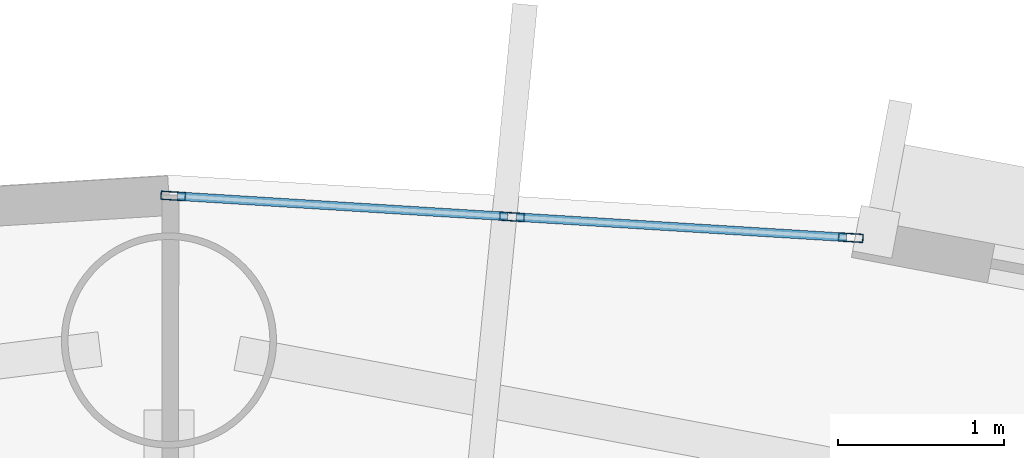
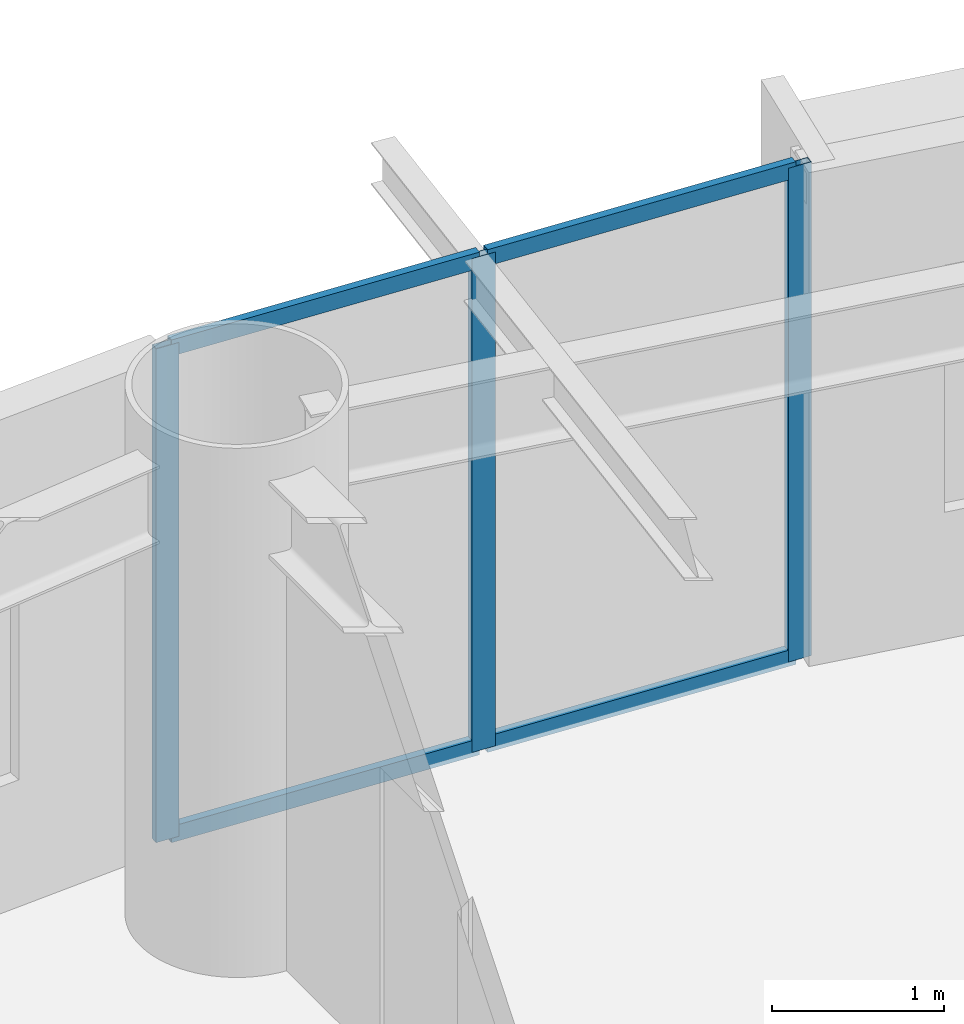
# One storey, part 4 of 17: 7 members, 1 element without a shape of its own.
"""IFC4 building model written with IfcOpenShell, lengths in metres."""

from ifc_helpers import new_model, si_unit, direction, frame, origin, origin_2d, place, context, subcontext, project, spatial, hollow_rectangle, extrude, source, transform, mapped, material, layer, layer_set, material_profile, profile_set, type_object, element, aggregate, save


model = new_model("IFC4")

# Units and contexts
model_context = context("Model", 3, precision=1e-05, world=origin(), true_north=direction((0.0, 1.0)))
body_context = subcontext(model_context, "Body", "Model", "MODEL_VIEW")
ifc_project = project(units=[si_unit("LENGTHUNIT", "METRE"), si_unit("AREAUNIT", "SQUARE_METRE"), si_unit("VOLUMEUNIT", "CUBIC_METRE"), si_unit("PLANEANGLEUNIT", "RADIAN"), si_unit("MASSUNIT", "GRAM", prefix="KILO")], contexts=[model_context])

# Site, building, storey
site_placement = place(None, origin())
site = spatial("IfcSite", under=ifc_project, at=site_placement, CompositionType="ELEMENT")
building_placement = place(site_placement, origin())
building = spatial("IfcBuilding", under=site, at=building_placement, Name="Linh Dai School and Residence Tower", CompositionType="ELEMENT")
storey_placement = place(building_placement, frame((0.0, 0.0, 182.39990234375)))
storey = spatial("IfcBuildingStorey", under=building, at=storey_placement, Name="L44", CompositionType="ELEMENT", Elevation=182.39990234375)

# Curtain wall, members
ifc_material_1 = material(Name="Aluminium Anodised Curtain Wall", Category="aluminium")
ifc_layer = layer(ifc_material_1, 0.14990234375)
ifc_layer_set = layer_set([ifc_layer], Name="Aluminium Anodised Curtain Wall")
curtain_wall_type = type_object("IfcCurtainWallType", Name="CW-SYS-4", PredefinedType="USERDEFINED", material=ifc_layer_set)
curtain_wall_placement = place(storey_placement, origin())
curtain_wall = element("IfcCurtainWall", 1, at=curtain_wall_placement, inside=storey, type_object=curtain_wall_type, Name="L44 CW4 Curtain Wall 10", ObjectType="RIBBON CURTAIN WALL", PredefinedType="USERDEFINED")
ifc_material_2 = material(Name="Aluminium Alloy 6063-T6", Category="aluminium")
ifc_material_profile_1 = material_profile(ifc_material_2, hollow_rectangle(XDim=0.052001953125, YDim=0.14990234375, WallThickness=0.00390625, at=origin_2d()), Name="RHS 150x52x4")
ifc_profile_set_1 = profile_set([ifc_material_profile_1], Name="Aluminium Alloy 6063-T6")
member_type_1 = type_object("IfcMemberType", Name="CW-SYS-4-MUL", PredefinedType="MULLION", material=ifc_profile_set_1)
shared_shape_1 = source(origin(), body_context, "Body", "SweptSolid", [
    extrude(hollow_rectangle(XDim=0.052001953125, YDim=0.14990234375, WallThickness=0.00390625, at=origin_2d()), origin(), (0.0, 0.0, 1.0), 3.5),
])
member_1_placement = place(storey_placement, frame((36.02587890625, 47.703369140625, 0.0), z_axis=(0.0, 0.0, 1.0), x_axis=(0.061512376467, 0.99810632076, 0.0)))
member_1 = element("IfcMember", 2, at=member_1_placement, type_object=member_type_1, Name="CW4 mullion 1", PredefinedType="MULLION", context=body_context, shape_type="MappedRepresentation", body=[
    mapped(shared_shape_1, transform((0.0, 0.0, 0.0), x_axis=(1.0, 0.0, 0.0), y_axis=(0.0, 1.0, 0.0), z_axis=(0.0, 0.0, 1.0), scale=1.0)),
])
member_2_placement = place(storey_placement, frame((38.072998046875, 47.5771484375, 0.0), z_axis=(0.0, 0.0, 1.0), x_axis=(0.061512376467, 0.99810632076, 0.0)))
member_2 = element("IfcMember", 3, at=member_2_placement, type_object=member_type_1, Name="CW4 mullion 2", PredefinedType="MULLION", context=body_context, shape_type="MappedRepresentation", body=[
    mapped(shared_shape_1, transform((0.0, 0.0, 0.0), x_axis=(1.0, 0.0, 0.0), y_axis=(0.0, 1.0, 0.0), z_axis=(0.0, 0.0, 1.0), scale=1.0)),
])
member_3_placement = place(storey_placement, frame((40.119873046875, 47.451171875, 0.0), z_axis=(0.0, 0.0, 1.0), x_axis=(0.061512376467, 0.99810632076, 0.0)))
member_3 = element("IfcMember", 4, at=member_3_placement, type_object=member_type_1, Name="CW4 mullion 3", PredefinedType="MULLION", context=body_context, shape_type="MappedRepresentation", body=[
    mapped(shared_shape_1, transform((0.0, 0.0, 0.0), x_axis=(1.0, 0.0, 0.0), y_axis=(0.0, 1.0, 0.0), z_axis=(0.0, 0.0, 1.0), scale=1.0)),
])
ifc_material_profile_2 = material_profile(ifc_material_2, hollow_rectangle(XDim=0.052001953125, YDim=0.114990234375, WallThickness=0.00390625, at=origin_2d()), Name="RHS 115x52x4")
ifc_profile_set_2 = profile_set([ifc_material_profile_2], Name="Aluminium Alloy 6063-T6")
member_type_2 = type_object("IfcMemberType", Name="CW-SYS-4-TRN", PredefinedType="USERDEFINED", material=ifc_profile_set_2)
shared_shape_2 = source(origin(), body_context, "Body", "SweptSolid", [
    extrude(hollow_rectangle(XDim=0.052001953125, YDim=0.114990234375, WallThickness=0.00390625, at=origin_2d()), origin(), (0.0, 0.0, 1.0), 1.998779296875),
])
member_4_placement = place(storey_placement, frame((36.052001953125, 47.701904296875, 0.026123046875), z_axis=(0.998103103786, -0.061564553214, 0.0), x_axis=(0.061564553214, 0.998103103786, 0.0)))
member_4 = element("IfcMember", 5, at=member_4_placement, type_object=member_type_2, Name="CW4 transom 1.1", ObjectType="TRANSOM", PredefinedType="USERDEFINED", context=body_context, shape_type="MappedRepresentation", body=[
    mapped(shared_shape_2, transform((0.0, 0.0, 0.0), x_axis=(1.0, 0.0, 0.0), y_axis=(0.0, 1.0, 0.0), z_axis=(0.0, 0.0, 1.0), scale=1.0)),
])
member_5_placement = place(storey_placement, frame((36.052001953125, 47.701904296875, 3.47412109375), z_axis=(0.998103103786, -0.061564553214, 0.0), x_axis=(0.061564553214, 0.998103103786, 0.0)))
member_5 = element("IfcMember", 6, at=member_5_placement, type_object=member_type_2, Name="CW4 transom 1.2", ObjectType="TRANSOM", PredefinedType="USERDEFINED", context=body_context, shape_type="MappedRepresentation", body=[
    mapped(shared_shape_2, transform((0.0, 0.0, 0.0), x_axis=(1.0, 0.0, 0.0), y_axis=(0.0, 1.0, 0.0), z_axis=(0.0, 0.0, 1.0), scale=1.0)),
])
member_6_placement = place(storey_placement, frame((38.098876953125, 47.57568359375, 0.026123046875), z_axis=(0.998103103786, -0.061564553214, 0.0), x_axis=(0.061564553214, 0.998103103786, 0.0)))
member_6 = element("IfcMember", 7, at=member_6_placement, type_object=member_type_2, Name="CW4 transom 2.1", ObjectType="TRANSOM", PredefinedType="USERDEFINED", context=body_context, shape_type="MappedRepresentation", body=[
    mapped(shared_shape_2, transform((0.0, 0.0, 0.0), x_axis=(1.0, 0.0, 0.0), y_axis=(0.0, 1.0, 0.0), z_axis=(0.0, 0.0, 1.0), scale=1.0)),
])
member_7_placement = place(storey_placement, frame((38.098876953125, 47.57568359375, 3.47412109375), z_axis=(0.998103103786, -0.061564553214, 0.0), x_axis=(0.061564553214, 0.998103103786, 0.0)))
member_7 = element("IfcMember", 8, at=member_7_placement, type_object=member_type_2, Name="CW4 transom 2.2", ObjectType="TRANSOM", PredefinedType="USERDEFINED", context=body_context, shape_type="MappedRepresentation", body=[
    mapped(shared_shape_2, transform((0.0, 0.0, 0.0), x_axis=(1.0, 0.0, 0.0), y_axis=(0.0, 1.0, 0.0), z_axis=(0.0, 0.0, 1.0), scale=1.0)),
])
aggregate(curtain_wall, [member_1, member_2, member_3, member_4, member_5, member_6, member_7])

save(model, "model.ifc")
